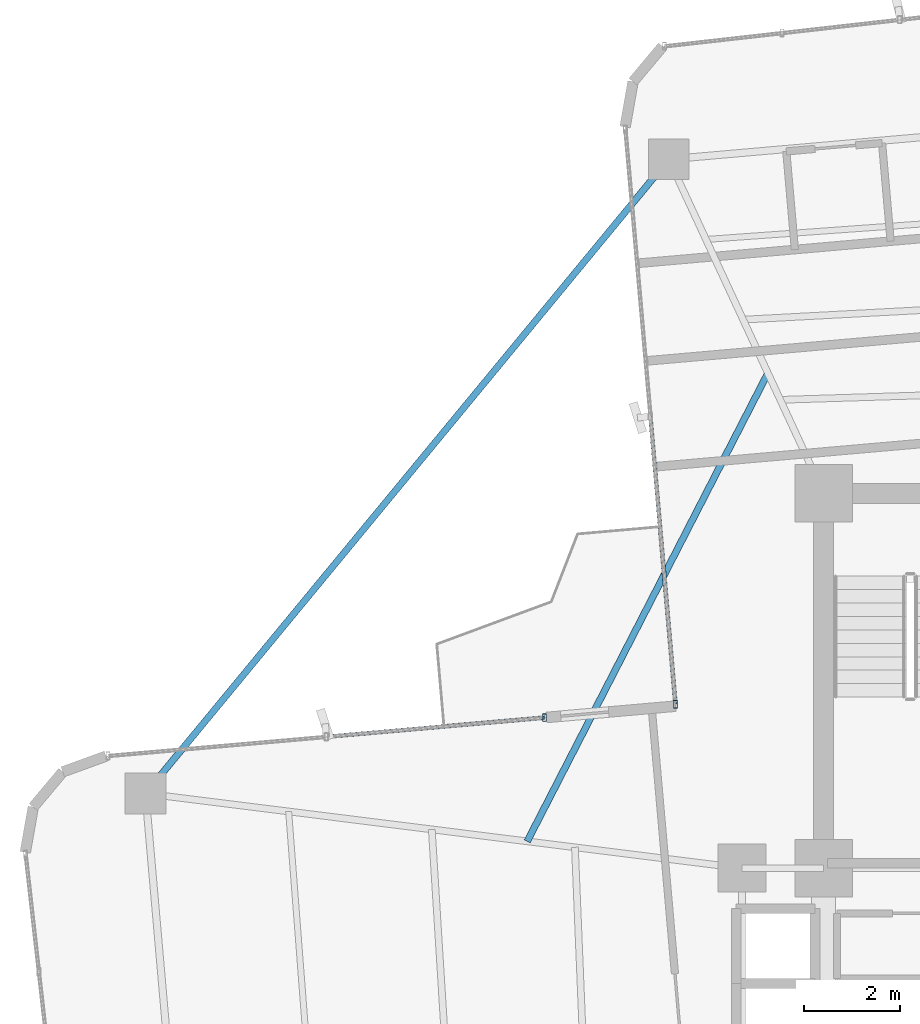
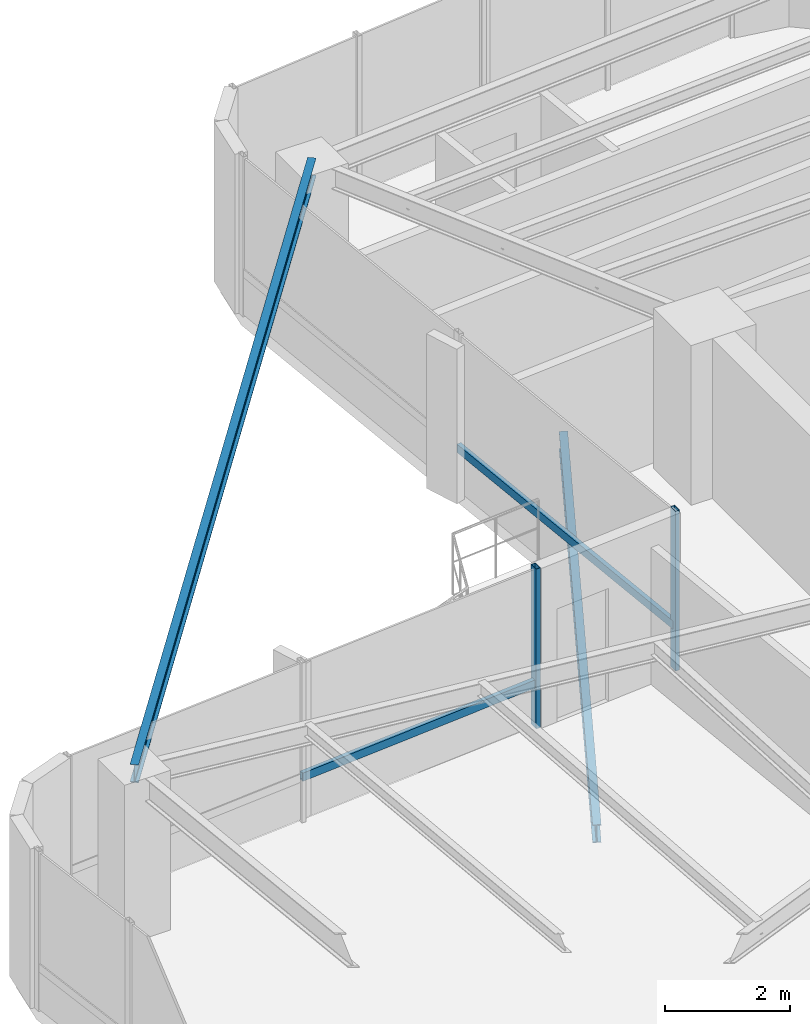
# One storey, part 10 of 24: 4 members, 2 beams, 2 elements without a shape of their own.
"""IFC4 building model written with IfcOpenShell, lengths in metres."""

import ifcopenshell
import ifcopenshell.guid

model = None  # the IFC model being written
_history = None  # IfcOwnerHistory: only IFC2X3 demands one
_inside = {}  # id of a spatial element -> (the spatial element, [elements in it])
_under = {}  # id of a project, library or spatial element -> (it, [spatial elements below it])
_declared = {}  # id of a project -> (the project, [libraries it declares])
_typed = {}  # id of a type object -> (the type object, [elements of that type])
_made_of = {}  # id of a material, layer set ... -> (it, [elements and type objects made of it])


def new_model(schema):
    """Start an empty IFC model of exactly this schema.

    Asked for "IFC4X3", IfcOpenShell would pick the latest addendum, in which some entities
    have other attributes; the version numbers below select the first issue.
    IFC2X3 requires an IfcOwnerHistory on every rooted entity: one is made here for all.
    """
    global model, _history
    if schema == "IFC4X3":
        model = ifcopenshell.file(schema_version=(4, 3, 0, 0))
    else:
        model = ifcopenshell.file(schema=schema)
    _inside.clear()
    _under.clear()
    _declared.clear()
    _typed.clear()
    _made_of.clear()
    _history = None
    if model.schema == "IFC2X3":
        org = make("IfcOrganization", Name="unknown")
        user = make(
            "IfcPersonAndOrganization",
            ThePerson=make("IfcPerson", FamilyName="unknown"),
            TheOrganization=org,
        )
        app = make(
            "IfcApplication",
            ApplicationDeveloper=org,
            Version="unknown",
            ApplicationFullName="unknown",
            ApplicationIdentifier="unknown",
        )
        _history = make(
            "IfcOwnerHistory",
            OwningUser=user,
            OwningApplication=app,
            ChangeAction="ADDED",
            CreationDate=0,
        )
    return model


def make(cls, **values):
    """One entity of the class cls with the attributes given. An attribute that is None is left unset."""
    return model.create_entity(
        cls, **{name: value for name, value in values.items() if value is not None}
    )


def rooted(cls, **values):
    """An entity with a GlobalId (a new one), such as an element, a storey or a relation."""
    return make(cls, GlobalId=ifcopenshell.guid.new(), OwnerHistory=_history, **values)


def si_unit(unit_type, name, prefix=None):
    """IfcSIUnit, for example si_unit("LENGTHUNIT", "METRE", prefix="MILLI")."""
    return make("IfcSIUnit", UnitType=unit_type, Prefix=prefix, Name=name)


def assignment(units):
    """IfcUnitAssignment: the units of a project."""
    return None if units is None else make("IfcUnitAssignment", Units=units)


def point(xyz):
    """IfcCartesianPoint."""
    return None if xyz is None else make("IfcCartesianPoint", Coordinates=xyz)


def direction(xyz):
    """IfcDirection."""
    return None if xyz is None else make("IfcDirection", DirectionRatios=xyz)


def frame(location, z_axis=None, x_axis=None):
    """IfcAxis2Placement3D, a coordinate frame: its origin and axes. An axis left out is left unset."""
    return make(
        "IfcAxis2Placement3D",
        Location=point(location),
        Axis=direction(z_axis),
        RefDirection=direction(x_axis),
    )


def frame_2d(location, x_axis=None):
    """IfcAxis2Placement2D, a coordinate frame in the plane: its origin and x axis."""
    return make(
        "IfcAxis2Placement2D", Location=point(location), RefDirection=direction(x_axis)
    )


def origin():
    """The frame at (0, 0, 0) with its axes left unset."""
    return frame((0.0, 0.0, 0.0))


def origin_2d():
    """The frame at (0, 0) in the plane with its x axis left unset."""
    return frame_2d((0.0, 0.0))


def place(relative_to, where):
    """IfcLocalPlacement: puts the frame where relative to a parent placement (None: the world)."""
    return make(
        "IfcLocalPlacement", PlacementRelTo=relative_to, RelativePlacement=where
    )


def context(
    kind, dimensions, precision=None, world=None, true_north=None, identifier=None
):
    """IfcGeometricRepresentationContext, for example the 3D "Model" context."""
    return make(
        "IfcGeometricRepresentationContext",
        ContextIdentifier=identifier,
        ContextType=kind,
        CoordinateSpaceDimension=dimensions,
        Precision=precision,
        WorldCoordinateSystem=world,
        TrueNorth=true_north,
    )


def subcontext(parent, identifier, kind, view, scale=None):
    """IfcGeometricRepresentationSubContext, for example "Body" below "Model"."""
    return make(
        "IfcGeometricRepresentationSubContext",
        ContextIdentifier=identifier,
        ContextType=kind,
        ParentContext=parent,
        TargetScale=scale,
        TargetView=view,
    )


def project(units=None, contexts=None):
    """IfcProject with its units and contexts."""
    return rooted(
        "IfcProject",
        Name="project",
        RepresentationContexts=contexts,
        UnitsInContext=assignment(units),
    )


def spatial(cls, under=None, at=None, **own):
    """A site, building, storey or space (cls), placed at a placement, below another one or the project."""
    s = rooted(cls, ObjectPlacement=at, **own)
    if under is not None:
        _under.setdefault(under.id(), (under, []))[1].append(s)
    return s


def profile(cls, at=None, kind="AREA", **sizes):
    """A parametric profile (cls). Its sizes go by their IFC names, for example OverallWidth=200.0."""
    return make(cls, ProfileType=kind, Position=at, **sizes)


def hollow_rectangle(**sizes):
    """IfcRectangleHollowProfileDef."""
    return profile("IfcRectangleHollowProfileDef", **sizes)


def i_section(**sizes):
    """IfcIShapeProfileDef."""
    return profile("IfcIShapeProfileDef", **sizes)


def extrude(swept, where, along, depth):
    """IfcExtrudedAreaSolid: the profile swept, set in the frame where, extruded along a direction by depth."""
    return make(
        "IfcExtrudedAreaSolid",
        SweptArea=swept,
        Position=where,
        ExtrudedDirection=direction(along),
        Depth=depth,
    )


def shape(context_of_items, identifier, shape_type, items):
    """IfcShapeRepresentation: the items that make up one representation, for example the "Body"."""
    return make(
        "IfcShapeRepresentation",
        ContextOfItems=context_of_items,
        RepresentationIdentifier=identifier,
        RepresentationType=shape_type,
        Items=items,
    )


def source(mapping_origin, context_of_items, identifier, shape_type, items):
    """IfcRepresentationMap: a shape defined once, which mapped items show again and again."""
    return make(
        "IfcRepresentationMap",
        MappingOrigin=mapping_origin,
        MappedRepresentation=shape(context_of_items, identifier, shape_type, items),
    )


def transform(
    local_origin,
    x_axis=None,
    y_axis=None,
    z_axis=None,
    scale=None,
    scale2=None,
    scale3=None,
    uniform=True,
):
    """IfcCartesianTransformationOperator3D, or its non-uniform kind. x_axis, y_axis, z_axis: its Axis1, 2, 3."""
    if uniform:
        return make(
            "IfcCartesianTransformationOperator3D",
            Axis1=direction(x_axis),
            Axis2=direction(y_axis),
            LocalOrigin=point(local_origin),
            Scale=scale,
            Axis3=direction(z_axis),
        )
    return make(
        "IfcCartesianTransformationOperator3DnonUniform",
        Axis1=direction(x_axis),
        Axis2=direction(y_axis),
        LocalOrigin=point(local_origin),
        Scale=scale,
        Axis3=direction(z_axis),
        Scale2=scale2,
        Scale3=scale3,
    )


def mapped(mapping_source, mapping_target):
    """IfcMappedItem: shows the shape of a source again, moved by a transform."""
    return make(
        "IfcMappedItem", MappingSource=mapping_source, MappingTarget=mapping_target
    )


def material(Name=None, Category=None):
    """IfcMaterial."""
    return make("IfcMaterial", Name=Name, Category=Category)


def material_profile(
    of_material, cross_section, Name=None, Category=None, Priority=None
):
    """IfcMaterialProfile: a cross section and its material."""
    return make(
        "IfcMaterialProfile",
        Name=Name,
        Material=of_material,
        Profile=cross_section,
        Priority=Priority,
        Category=Category,
    )


def profile_set(profiles, Name=None, composite=None):
    """IfcMaterialProfileSet."""
    return make(
        "IfcMaterialProfileSet",
        Name=Name,
        MaterialProfiles=profiles,
        CompositeProfile=composite,
    )


def made_of(thing, what):
    """Note that an element or type object is made of a material, layer set ...; save() writes the relation."""
    if what is not None:
        _made_of.setdefault(what.id(), (what, []))[1].append(thing)
    return thing


def type_object(cls, material=None, **own):
    """A type object (cls), such as IfcWallType, which elements share."""
    return made_of(rooted(cls, **own), material)


def element(
    cls,
    number,
    at=None,
    inside=None,
    cuts=None,
    type_object=None,
    material=None,
    context=None,
    identifier="Body",
    shape_type=None,
    held_by="IfcProductDefinitionShape",
    body=None,
    shapes=None,
    **own,
):
    """One element of the class cls, such as IfcWall. Its Tag is "e" and its number.

    at: its placement. inside: the storey or other place that contains it. cuts: it is an
    opening in that element (IfcRelVoidsElement). A single representation is given by context,
    identifier, shape_type and body (its items); several are given by shapes. held_by: the class
    of the entity that holds the representations. save() writes the other relations.
    """
    e = rooted(cls, Tag="e%d" % number, ObjectPlacement=at, **own)
    if body is not None:
        shapes = [shape(context, identifier, shape_type, body)]
    if shapes is not None:
        e.Representation = make(held_by, Representations=shapes)
    if inside is not None:
        _inside.setdefault(inside.id(), (inside, []))[1].append(e)
    if cuts is not None:
        rooted(
            "IfcRelVoidsElement", RelatingBuildingElement=cuts, RelatedOpeningElement=e
        )
    if type_object is not None:
        _typed.setdefault(type_object.id(), (type_object, []))[1].append(e)
    return made_of(e, material)


def aggregate(whole, parts):
    """IfcRelAggregates: a whole, such as a stair, and the parts it consists of."""
    return rooted("IfcRelAggregates", RelatingObject=whole, RelatedObjects=parts)


def save(model, path):
    """Write the relations noted so far, then the file.

    IfcRelAggregates (storeys below a building ...), IfcRelContainedInSpatialStructure (elements
    in a storey), IfcRelDefinesByType, IfcRelAssociatesMaterial and IfcRelDeclares: one each for
    every whole, place, type object, material and project.
    """
    for whole, parts in _under.values():
        aggregate(whole, parts)
    for where, things in _inside.values():
        rooted(
            "IfcRelContainedInSpatialStructure",
            RelatedElements=things,
            RelatingStructure=where,
        )
    for kind, things in _typed.values():
        rooted("IfcRelDefinesByType", RelatedObjects=things, RelatingType=kind)
    for what, things in _made_of.values():
        rooted("IfcRelAssociatesMaterial", RelatedObjects=things, RelatingMaterial=what)
    for by, libraries in _declared.values():
        rooted("IfcRelDeclares", RelatingContext=by, RelatedDefinitions=libraries)
    model.write(path)


model = new_model("IFC4")

# Units and contexts
model_context = context("Model", 3, precision=1e-05, world=origin(), true_north=direction((0.0, 1.0)))
body_context = subcontext(model_context, "Body", "Model", "MODEL_VIEW")
ifc_project = project(units=[si_unit("LENGTHUNIT", "METRE"), si_unit("AREAUNIT", "SQUARE_METRE"), si_unit("VOLUMEUNIT", "CUBIC_METRE"), si_unit("PLANEANGLEUNIT", "RADIAN"), si_unit("MASSUNIT", "GRAM", prefix="KILO")], contexts=[model_context])

# Site, building, storey
site_placement = place(None, origin())
site = spatial("IfcSite", under=ifc_project, at=site_placement, CompositionType="ELEMENT")
building_placement = place(site_placement, origin())
building = spatial("IfcBuilding", under=site, at=building_placement, Name="Sahyath Konkavel Grand Hotel", CompositionType="ELEMENT")
storey_placement = place(building_placement, frame((0.0, 0.0, 175.199951171875)))
storey = spatial("IfcBuildingStorey", under=building, at=storey_placement, Name="L48", CompositionType="ELEMENT", Elevation=175.199951171875)

# Beam
ifc_material_1 = material(Name="Steel E350", Category="steel")
ifc_material_profile_1 = material_profile(ifc_material_1, i_section(OverallWidth=0.139892578125, OverallDepth=0.35009765625, WebThickness=0.008056640625, FlangeThickness=0.01416015625, FilletRadius=0.013916015625, at=origin_2d()), Name="ISMB 350")
ifc_profile_set_1 = profile_set([ifc_material_profile_1], Name="Steel E350")
beam_type_1 = type_object("IfcBeamType", Name="BM-ISMB350", PredefinedType="BEAM", material=ifc_profile_set_1)
shared_shape_1 = source(origin(), body_context, "Body", "SweptSolid", [
    extrude(i_section(OverallWidth=0.139892578125, OverallDepth=0.35009765625, WebThickness=0.008056640625, FlangeThickness=0.01416015625, FilletRadius=0.013916015625, at=origin_2d()), origin(), (0.0, 0.0, 1.0), 17.112548828125),
])
beam_1_placement = place(storey_placement, frame((-7.021728515625, 17.1533203125, 2.93505859375), z_axis=(-0.636437070092, -0.77132863023, 0.0), x_axis=(0.77132863023, -0.636437070092, 0.0)))
element("IfcBeam", 1, at=beam_1_placement, inside=storey, type_object=beam_type_1, Name="L48 Re-Entrant Tie Beam NW", PredefinedType="BEAM", context=body_context, shape_type="MappedRepresentation", body=[
    mapped(shared_shape_1, transform((0.0, 0.0, 0.0), scale=1.0)),
])

# Curtain wall, member
ifc_material_2 = material(Name="Anodised Bronze Aluminium & Low-E Glazing", Category="aluminium")
curtain_wall_type = type_object("IfcCurtainWallType", Name="CW-ZONE3", PredefinedType="NOTDEFINED", material=ifc_material_2)
curtain_wall_1_placement = place(storey_placement, origin())
curtain_wall_1 = element("IfcCurtainWall", 2, at=curtain_wall_1_placement, inside=storey, type_object=curtain_wall_type, Name="L48 Unitised Curtain Wall F15", PredefinedType="NOTDEFINED")
ifc_material_3 = material(Name="Anodised Bronze Aluminium", Category="aluminium")
ifc_material_profile_2 = material_profile(ifc_material_3, hollow_rectangle(XDim=0.080078125, YDim=0.159912109375, WallThickness=0.006103515625, at=origin_2d()), Name="RHS 160x80x6")
ifc_profile_set_2 = profile_set([ifc_material_profile_2], Name="Anodised Bronze Aluminium")
member_type_1 = type_object("IfcMemberType", Name="CW-MUL-160", PredefinedType="MULLION", material=ifc_profile_set_2)
shared_shape_2 = source(origin(), body_context, "Body", "SweptSolid", [
    extrude(hollow_rectangle(XDim=0.080078125, YDim=0.159912109375, WallThickness=0.006103515625, at=origin_2d()), origin(), (0.0, 0.0, 1.0), 3.110107421875),
])
member_1_placement = place(storey_placement, frame((-6.8828125, 5.812255859375, 0.0), z_axis=(0.0, 0.0, 1.0), x_axis=(1.0, 0.0, 0.0)))
member_1 = element("IfcMember", 3, at=member_1_placement, type_object=member_type_1, Name="L48 Curtain Wall Mullion F15-2", PredefinedType="MULLION", context=body_context, shape_type="MappedRepresentation", body=[
    mapped(shared_shape_2, transform((0.0, 0.0, 0.0), scale=1.0)),
])

# Curtain wall, members
curtain_wall_2_placement = place(storey_placement, origin())
curtain_wall_2 = element("IfcCurtainWall", 4, at=curtain_wall_2_placement, inside=storey, type_object=curtain_wall_type, Name="L48 Unitised Curtain Wall F16", PredefinedType="NOTDEFINED")
member_2_placement = place(storey_placement, frame((-9.60888671875, 5.53369140625, 0.0), z_axis=(0.0, 0.0, 1.0), x_axis=(1.0, 0.0, 0.0)))
member_2 = element("IfcMember", 5, at=member_2_placement, type_object=member_type_1, Name="L48 Curtain Wall Mullion F16-0", PredefinedType="MULLION", context=body_context, shape_type="MappedRepresentation", body=[
    mapped(shared_shape_2, transform((0.0, 0.0, 0.0), scale=1.0)),
])
ifc_material_profile_3 = material_profile(ifc_material_3, hollow_rectangle(XDim=0.080078125, YDim=0.159912109375, WallThickness=0.006103515625, at=origin_2d()), Name="RHS 160x80x6")
ifc_profile_set_3 = profile_set([ifc_material_profile_3], Name="Anodised Bronze Aluminium")
member_type_2 = type_object("IfcMemberType", Name="CW-TRN-160", PredefinedType="USERDEFINED", material=ifc_profile_set_3)
shared_shape_3 = source(origin(), body_context, "Body", "SweptSolid", [
    extrude(hollow_rectangle(XDim=0.080078125, YDim=0.159912109375, WallThickness=0.006103515625, at=origin_2d()), origin(), (0.0, 0.0, 1.0), 4.56005859375),
])
member_3_placement = place(storey_placement, frame((-9.60888671875, 5.53369140625, 0.85009765625), z_axis=(-0.996189590376, -0.087214104516, 0.0), x_axis=(0.087214104516, -0.996189590376, 0.0)))
member_3 = element("IfcMember", 6, at=member_3_placement, type_object=member_type_2, Name="L48 Curtain Wall Transom F16-0-spandrel", ObjectType="TRANSOM", PredefinedType="USERDEFINED", context=body_context, shape_type="MappedRepresentation", body=[
    mapped(shared_shape_3, transform((0.0, 0.0, 0.0), scale=1.0)),
])
aggregate(curtain_wall_2, [member_2, member_3])

# Member
shared_shape_4 = source(origin(), body_context, "Body", "SweptSolid", [
    extrude(hollow_rectangle(XDim=0.080078125, YDim=0.159912109375, WallThickness=0.006103515625, at=origin_2d()), origin(), (0.0, 0.0, 1.0), 6.010009765625),
])
member_4_placement = place(storey_placement, frame((-7.406494140625, 11.79931640625, 0.85009765625), z_axis=(0.087136210597, -0.996196406741, 0.0), x_axis=(0.996196406741, 0.087136210597, 0.0)))
member_4 = element("IfcMember", 7, at=member_4_placement, type_object=member_type_2, Name="L48 Curtain Wall Transom F15-1-spandrel", ObjectType="TRANSOM", PredefinedType="USERDEFINED", context=body_context, shape_type="MappedRepresentation", body=[
    mapped(shared_shape_4, transform((0.0, 0.0, 0.0), scale=1.0)),
])

aggregate(curtain_wall_1, [member_1, member_4])

# Beam
ifc_material_profile_4 = material_profile(ifc_material_1, i_section(OverallWidth=0.139892578125, OverallDepth=0.35009765625, WebThickness=0.008056640625, FlangeThickness=0.01416015625, FilletRadius=0.013916015625, at=origin_2d()), Name="ISMB 350")
ifc_profile_set_4 = profile_set([ifc_material_profile_4], Name="Steel E350")
beam_type_2 = type_object("IfcBeamType", Name="BM-BALC-CANT", PredefinedType="BEAM", material=ifc_profile_set_4)
shared_shape_5 = source(origin(), body_context, "Body", "SweptSolid", [
    extrude(i_section(OverallWidth=0.139892578125, OverallDepth=0.35009765625, WebThickness=0.008056640625, FlangeThickness=0.01416015625, FilletRadius=0.013916015625, at=origin_2d()), origin(), (0.0, 0.0, 1.0), 10.95556640625),
])
beam_2_placement = place(storey_placement, frame((-4.959716796875, 12.703125, -0.4150390625), z_axis=(-0.457186878355, -0.889370652912, 0.0), x_axis=(0.889370652912, -0.457186878355, 0.0)))
element("IfcBeam", 8, at=beam_2_placement, inside=storey, type_object=beam_type_2, Name="L48 Balcony Cantilever Support Beam NW", PredefinedType="BEAM", context=body_context, shape_type="MappedRepresentation", body=[
    mapped(shared_shape_5, transform((0.0, 0.0, 0.0), scale=1.0)),
])

save(model, "model.ifc")
